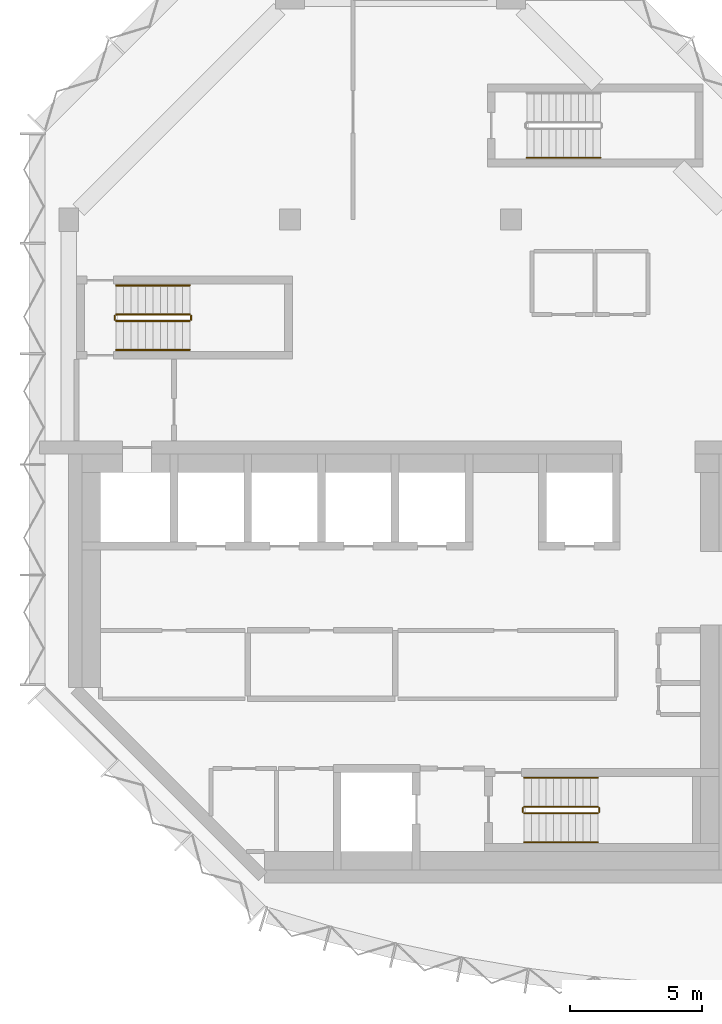
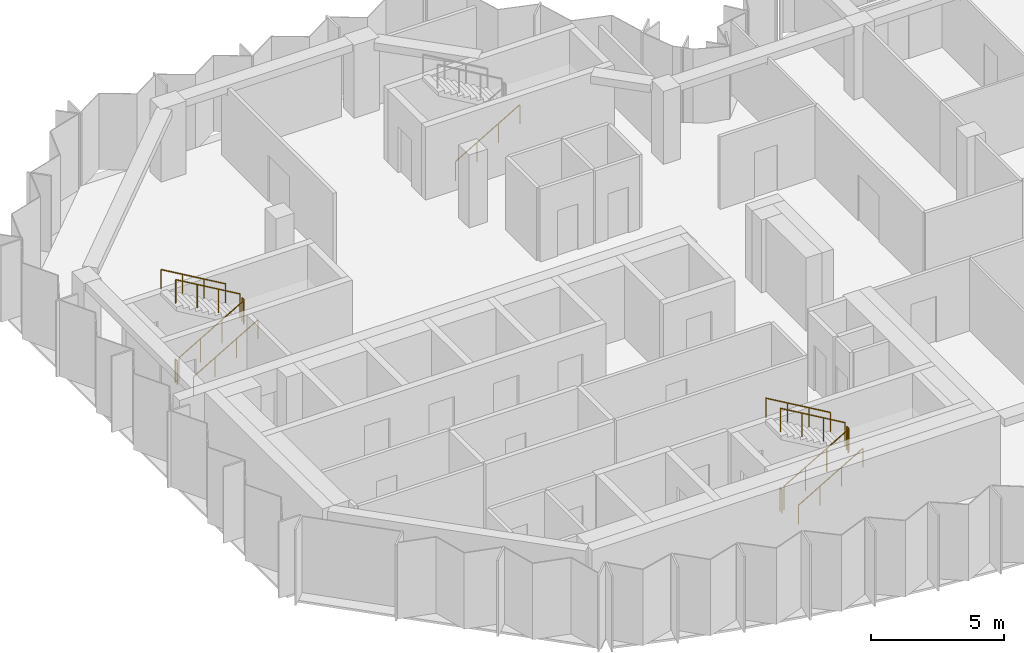
# One storey, part 8 of 9: 13 railings.
"""IFC4 building model written with IfcOpenShell, lengths in metres."""

from ifc_helpers import new_model, si_unit, direction, frame, origin, origin_2d, place, context, subcontext, project, spatial, circle, extrude, material, type_object, element, save


model = new_model("IFC4")

# Units and contexts
model_context = context("Model", 3, precision=1e-05, world=origin(), true_north=direction((0.0, 1.0)))
body_context = subcontext(model_context, "Body", "Model", "MODEL_VIEW")
ifc_project = project(units=[si_unit("LENGTHUNIT", "METRE"), si_unit("AREAUNIT", "SQUARE_METRE"), si_unit("VOLUMEUNIT", "CUBIC_METRE"), si_unit("PLANEANGLEUNIT", "RADIAN"), si_unit("MASSUNIT", "GRAM", prefix="KILO")], contexts=[model_context])

# Site, building, storey
site_placement = place(None, origin())
site = spatial("IfcSite", under=ifc_project, at=site_placement, CompositionType="ELEMENT")
building_placement = place(site_placement, origin())
building = spatial("IfcBuilding", under=site, at=building_placement, Name="Brevane Broadcast Tower", CompositionType="ELEMENT")
storey_placement = place(building_placement, frame((0.0, 0.0, 248.10009765625)))
storey = spatial("IfcBuildingStorey", under=building, at=storey_placement, Name="L63", CompositionType="ELEMENT", Elevation=248.10009765625)

# Railings
ifc_material = material(Name="Steel S355", Category="steel")
railing_type_1 = type_object("IfcRailingType", Name="Exit stair guard", PredefinedType="GUARDRAIL", material=ifc_material)
railing_1_placement = place(storey_placement, frame((1.800048828125, 21.35009765625, 0.16357421875)))
element("IfcRailing", 1, at=railing_1_placement, inside=storey, type_object=railing_type_1, Name="L63 ST-1 stair guard 1", PredefinedType="GUARDRAIL", context=body_context, shape_type="SweptSolid", body=[
    extrude(circle(Radius=0.02392578125, at=origin_2d()), frame((0.0, 0.0, 1.076171875), z_axis=(0.863393664356, 0.0, 0.504530851732), x_axis=(0.0, 1.0, 0.0)), (0.0, 0.0, 1.0), 3.2431640625),
    extrude(circle(Radius=0.02099609375, at=origin_2d()), origin(), (0.0, 0.0, 1.0), 1.052001953125),
    extrude(circle(Radius=0.02099609375, at=origin_2d()), frame((0.933349609375, 0.0, 0.54541015625)), (0.0, 0.0, 1.0), 1.052001953125),
    extrude(circle(Radius=0.02099609375, at=origin_2d()), frame((1.86669921875, 0.0, 1.0908203125)), (0.0, 0.0, 1.0), 1.052001953125),
    extrude(circle(Radius=0.02099609375, at=origin_2d()), frame((2.800048828125, 0.0, 1.63623046875)), (0.0, 0.0, 1.0), 1.052001953125),
])
railing_2_placement = place(storey_placement, frame((4.64990234375, 21.39990234375, 1.7998046875)))
element("IfcRailing", 2, at=railing_2_placement, inside=storey, type_object=railing_type_1, Name="L63 ST-1 stair guard 2", PredefinedType="GUARDRAIL", context=body_context, shape_type="SweptSolid", body=[
    extrude(circle(Radius=0.02392578125, at=origin_2d()), frame((0.0, 0.0, 1.076171875), z_axis=(0.0, 1.0, 0.0), x_axis=(-1.0, 0.0, 0.0)), (0.0, 0.0, 1.0), 0.150146484375),
    extrude(circle(Radius=0.02099609375, at=origin_2d()), origin(), (0.0, 0.0, 1.0), 1.052001953125),
    extrude(circle(Radius=0.02099609375, at=origin_2d()), frame((0.0, 0.150146484375, 0.0)), (0.0, 0.0, 1.0), 1.052001953125),
])
railing_3_placement = place(storey_placement, frame((4.60009765625, 21.60009765625, 1.963623046875)))
element("IfcRailing", 3, at=railing_3_placement, inside=storey, type_object=railing_type_1, Name="L63 ST-1 stair guard 3", PredefinedType="GUARDRAIL", context=body_context, shape_type="SweptSolid", body=[
    extrude(circle(Radius=0.02392578125, at=origin_2d()), frame((0.0, 0.0, 1.076171875), z_axis=(-0.863393664356, 0.0, 0.504530851732), x_axis=(0.0, -1.0, 0.0)), (0.0, 0.0, 1.0), 3.2431640625),
    extrude(circle(Radius=0.02099609375, at=origin_2d()), origin(), (0.0, 0.0, 1.0), 1.052001953125),
    extrude(circle(Radius=0.02099609375, at=origin_2d()), frame((-0.933349609375, 0.0, 0.54541015625)), (0.0, 0.0, 1.0), 1.052001953125),
    extrude(circle(Radius=0.02099609375, at=origin_2d()), frame((-1.86669921875, 0.0, 1.0908203125)), (0.0, 0.0, 1.0), 1.052001953125),
    extrude(circle(Radius=0.02099609375, at=origin_2d()), frame((-2.800048828125, 0.0, 1.63623046875)), (0.0, 0.0, 1.0), 1.052001953125),
])
railing_4_placement = place(storey_placement, frame((1.75, 21.39990234375, 0.0)))
element("IfcRailing", 4, at=railing_4_placement, inside=storey, type_object=railing_type_1, Name="L63 ST-1 stair guard 4", PredefinedType="GUARDRAIL", context=body_context, shape_type="SweptSolid", body=[
    extrude(circle(Radius=0.02392578125, at=origin_2d()), frame((0.0, 0.0, 1.076171875), z_axis=(0.0, 1.0, 0.0), x_axis=(-1.0, 0.0, 0.0)), (0.0, 0.0, 1.0), 0.150146484375),
    extrude(circle(Radius=0.02099609375, at=origin_2d()), origin(), (0.0, 0.0, 1.0), 1.052001953125),
    extrude(circle(Radius=0.02099609375, at=origin_2d()), frame((0.0, 0.150146484375, 0.0)), (0.0, 0.0, 1.0), 1.052001953125),
])
railing_5_placement = place(storey_placement, frame((17.300048828125, 2.64990234375, 0.16357421875)))
element("IfcRailing", 5, at=railing_5_placement, inside=storey, type_object=railing_type_1, Name="L63 ST-2 stair guard 1", PredefinedType="GUARDRAIL", context=body_context, shape_type="SweptSolid", body=[
    extrude(circle(Radius=0.02392578125, at=origin_2d()), frame((0.0, 0.0, 1.076171875), z_axis=(0.863393664356, 0.0, 0.504530851732), x_axis=(0.0, 1.0, 0.0)), (0.0, 0.0, 1.0), 3.2431640625),
    extrude(circle(Radius=0.02099609375, at=origin_2d()), origin(), (0.0, 0.0, 1.0), 1.052001953125),
    extrude(circle(Radius=0.02099609375, at=origin_2d()), frame((0.933349609375, 0.0, 0.54541015625)), (0.0, 0.0, 1.0), 1.052001953125),
    extrude(circle(Radius=0.02099609375, at=origin_2d()), frame((1.86669921875, 0.0, 1.0908203125)), (0.0, 0.0, 1.0), 1.052001953125),
    extrude(circle(Radius=0.02099609375, at=origin_2d()), frame((2.800048828125, 0.0, 1.63623046875)), (0.0, 0.0, 1.0), 1.052001953125),
])
railing_6_placement = place(storey_placement, frame((20.14990234375, 2.699951171875, 1.7998046875)))
element("IfcRailing", 6, at=railing_6_placement, inside=storey, type_object=railing_type_1, Name="L63 ST-2 stair guard 2", PredefinedType="GUARDRAIL", context=body_context, shape_type="SweptSolid", body=[
    extrude(circle(Radius=0.02392578125, at=origin_2d()), frame((0.0, 0.0, 1.076171875), z_axis=(0.0, 1.0, 0.0), x_axis=(-1.0, 0.0, 0.0)), (0.0, 0.0, 1.0), 0.150146484375),
    extrude(circle(Radius=0.02099609375, at=origin_2d()), origin(), (0.0, 0.0, 1.0), 1.052001953125),
    extrude(circle(Radius=0.02099609375, at=origin_2d()), frame((0.0, 0.150146484375, 0.0)), (0.0, 0.0, 1.0), 1.052001953125),
])
railing_7_placement = place(storey_placement, frame((20.10009765625, 2.89990234375, 1.963623046875)))
element("IfcRailing", 7, at=railing_7_placement, inside=storey, type_object=railing_type_1, Name="L63 ST-2 stair guard 3", PredefinedType="GUARDRAIL", context=body_context, shape_type="SweptSolid", body=[
    extrude(circle(Radius=0.02392578125, at=origin_2d()), frame((0.0, 0.0, 1.076171875), z_axis=(-0.863393664356, 0.0, 0.504530851732), x_axis=(0.0, -1.0, 0.0)), (0.0, 0.0, 1.0), 3.2431640625),
    extrude(circle(Radius=0.02099609375, at=origin_2d()), origin(), (0.0, 0.0, 1.0), 1.052001953125),
    extrude(circle(Radius=0.02099609375, at=origin_2d()), frame((-0.933349609375, 0.0, 0.54541015625)), (0.0, 0.0, 1.0), 1.052001953125),
    extrude(circle(Radius=0.02099609375, at=origin_2d()), frame((-1.86669921875, 0.0, 1.0908203125)), (0.0, 0.0, 1.0), 1.052001953125),
    extrude(circle(Radius=0.02099609375, at=origin_2d()), frame((-2.800048828125, 0.0, 1.63623046875)), (0.0, 0.0, 1.0), 1.052001953125),
])
railing_8_placement = place(storey_placement, frame((17.25, 2.699951171875, 0.0)))
element("IfcRailing", 8, at=railing_8_placement, inside=storey, type_object=railing_type_1, Name="L63 ST-2 stair guard 4", PredefinedType="GUARDRAIL", context=body_context, shape_type="SweptSolid", body=[
    extrude(circle(Radius=0.02392578125, at=origin_2d()), frame((0.0, 0.0, 1.076171875), z_axis=(0.0, 1.0, 0.0), x_axis=(-1.0, 0.0, 0.0)), (0.0, 0.0, 1.0), 0.150146484375),
    extrude(circle(Radius=0.02099609375, at=origin_2d()), origin(), (0.0, 0.0, 1.0), 1.052001953125),
    extrude(circle(Radius=0.02099609375, at=origin_2d()), frame((0.0, 0.150146484375, 0.0)), (0.0, 0.0, 1.0), 1.052001953125),
])
railing_type_2 = type_object("IfcRailingType", Name="Exit stair handrail", PredefinedType="HANDRAIL", material=ifc_material)
railing_9_placement = place(storey_placement, frame((1.800048828125, 20.25, 0.16357421875)))
element("IfcRailing", 9, at=railing_9_placement, inside=storey, type_object=railing_type_2, Name="L63 ST-1 stair handrail 1", PredefinedType="HANDRAIL", context=body_context, shape_type="SweptSolid", body=[
    extrude(circle(Radius=0.02392578125, at=origin_2d()), frame((0.0, 0.0, 0.8759765625), z_axis=(0.863393664356, 0.0, 0.504530851732), x_axis=(0.0, 1.0, 0.0)), (0.0, 0.0, 1.0), 3.2431640625),
    extrude(circle(Radius=0.02099609375, at=origin_2d()), origin(), (0.0, 0.0, 1.0), 0.851806640625),
    extrude(circle(Radius=0.02099609375, at=origin_2d()), frame((0.933349609375, 0.0, 0.54541015625)), (0.0, 0.0, 1.0), 0.851806640625),
    extrude(circle(Radius=0.02099609375, at=origin_2d()), frame((1.86669921875, 0.0, 1.0908203125)), (0.0, 0.0, 1.0), 0.851806640625),
    extrude(circle(Radius=0.02099609375, at=origin_2d()), frame((2.800048828125, 0.0, 1.63623046875)), (0.0, 0.0, 1.0), 0.851806640625),
])
railing_10_placement = place(storey_placement, frame((4.60009765625, 22.699951171875, 1.963623046875)))
element("IfcRailing", 10, at=railing_10_placement, inside=storey, type_object=railing_type_2, Name="L63 ST-1 stair handrail 2", PredefinedType="HANDRAIL", context=body_context, shape_type="SweptSolid", body=[
    extrude(circle(Radius=0.02392578125, at=origin_2d()), frame((0.0, 0.0, 0.8759765625), z_axis=(-0.863393664356, 0.0, 0.504530851732), x_axis=(0.0, -1.0, 0.0)), (0.0, 0.0, 1.0), 3.2431640625),
    extrude(circle(Radius=0.02099609375, at=origin_2d()), origin(), (0.0, 0.0, 1.0), 0.851806640625),
    extrude(circle(Radius=0.02099609375, at=origin_2d()), frame((-0.933349609375, 0.0, 0.54541015625)), (0.0, 0.0, 1.0), 0.851806640625),
    extrude(circle(Radius=0.02099609375, at=origin_2d()), frame((-1.86669921875, 0.0, 1.0908203125)), (0.0, 0.0, 1.0), 0.851806640625),
    extrude(circle(Radius=0.02099609375, at=origin_2d()), frame((-2.800048828125, 0.0, 1.63623046875)), (0.0, 0.0, 1.0), 0.851806640625),
])
railing_11_placement = place(storey_placement, frame((17.300048828125, 1.550048828125, 0.16357421875)))
element("IfcRailing", 11, at=railing_11_placement, inside=storey, type_object=railing_type_2, Name="L63 ST-2 stair handrail 1", PredefinedType="HANDRAIL", context=body_context, shape_type="SweptSolid", body=[
    extrude(circle(Radius=0.02392578125, at=origin_2d()), frame((0.0, 0.0, 0.8759765625), z_axis=(0.863393664356, 0.0, 0.504530851732), x_axis=(0.0, 1.0, 0.0)), (0.0, 0.0, 1.0), 3.2431640625),
    extrude(circle(Radius=0.02099609375, at=origin_2d()), origin(), (0.0, 0.0, 1.0), 0.851806640625),
    extrude(circle(Radius=0.02099609375, at=origin_2d()), frame((0.933349609375, 0.0, 0.54541015625)), (0.0, 0.0, 1.0), 0.851806640625),
    extrude(circle(Radius=0.02099609375, at=origin_2d()), frame((1.86669921875, 0.0, 1.0908203125)), (0.0, 0.0, 1.0), 0.851806640625),
    extrude(circle(Radius=0.02099609375, at=origin_2d()), frame((2.800048828125, 0.0, 1.63623046875)), (0.0, 0.0, 1.0), 0.851806640625),
])
railing_12_placement = place(storey_placement, frame((20.10009765625, 4.0, 1.963623046875)))
element("IfcRailing", 12, at=railing_12_placement, inside=storey, type_object=railing_type_2, Name="L63 ST-2 stair handrail 2", PredefinedType="HANDRAIL", context=body_context, shape_type="SweptSolid", body=[
    extrude(circle(Radius=0.02392578125, at=origin_2d()), frame((0.0, 0.0, 0.8759765625), z_axis=(-0.863393664356, 0.0, 0.504530851732), x_axis=(0.0, -1.0, 0.0)), (0.0, 0.0, 1.0), 3.2431640625),
    extrude(circle(Radius=0.02099609375, at=origin_2d()), origin(), (0.0, 0.0, 1.0), 0.851806640625),
    extrude(circle(Radius=0.02099609375, at=origin_2d()), frame((-0.933349609375, 0.0, 0.54541015625)), (0.0, 0.0, 1.0), 0.851806640625),
    extrude(circle(Radius=0.02099609375, at=origin_2d()), frame((-1.86669921875, 0.0, 1.0908203125)), (0.0, 0.0, 1.0), 0.851806640625),
    extrude(circle(Radius=0.02099609375, at=origin_2d()), frame((-2.800048828125, 0.0, 1.63623046875)), (0.0, 0.0, 1.0), 0.851806640625),
])
railing_13_placement = place(storey_placement, frame((17.39990234375, 27.550048828125, 0.16357421875)))
element("IfcRailing", 13, at=railing_13_placement, inside=storey, type_object=railing_type_2, Name="L63 ST-3 stair handrail 1", PredefinedType="HANDRAIL", context=body_context, shape_type="SweptSolid", body=[
    extrude(circle(Radius=0.02392578125, at=origin_2d()), frame((0.0, 0.0, 0.8759765625), z_axis=(0.863393664356, 0.0, 0.504530851732), x_axis=(0.0, 1.0, 0.0)), (0.0, 0.0, 1.0), 3.2431640625),
    extrude(circle(Radius=0.02099609375, at=origin_2d()), origin(), (0.0, 0.0, 1.0), 0.851806640625),
    extrude(circle(Radius=0.02099609375, at=origin_2d()), frame((0.933349609375, 0.0, 0.54541015625)), (0.0, 0.0, 1.0), 0.851806640625),
    extrude(circle(Radius=0.02099609375, at=origin_2d()), frame((1.86669921875, 0.0, 1.0908203125)), (0.0, 0.0, 1.0), 0.851806640625),
    extrude(circle(Radius=0.02099609375, at=origin_2d()), frame((2.800048828125, 0.0, 1.63623046875)), (0.0, 0.0, 1.0), 0.851806640625),
])

save(model, "model.ifc")
